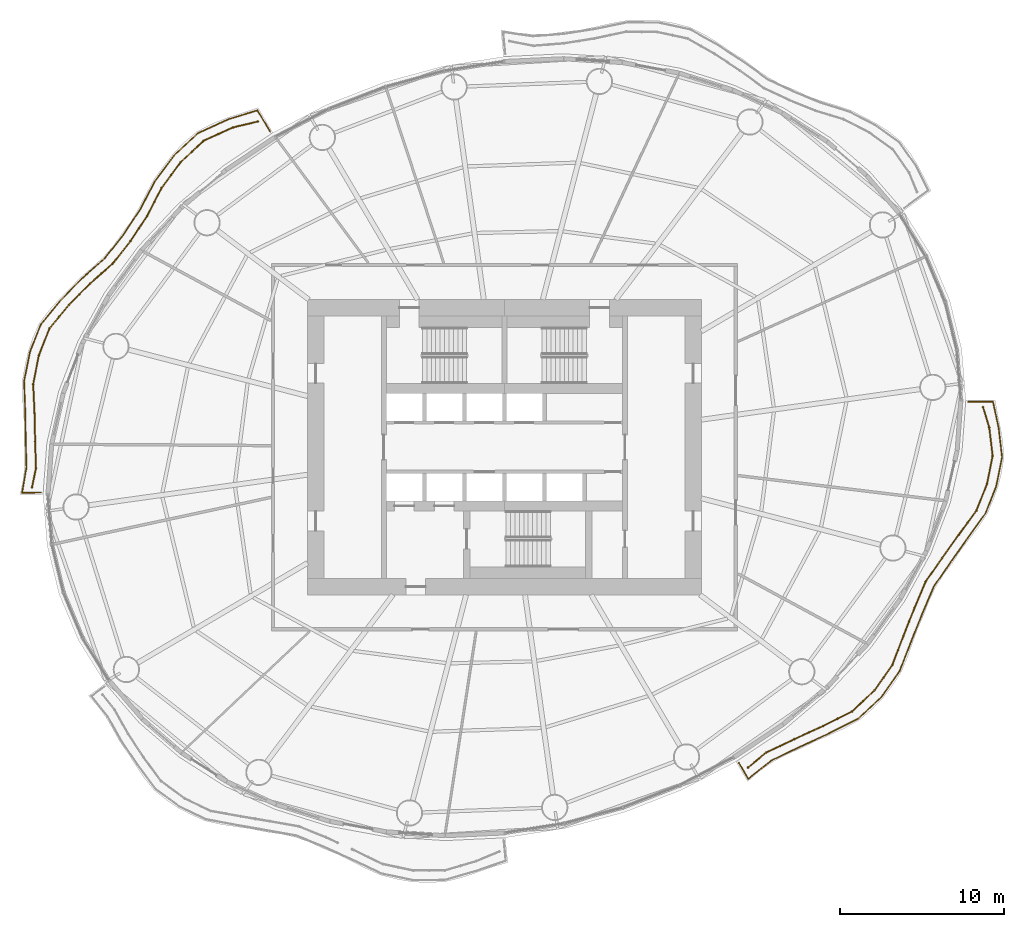
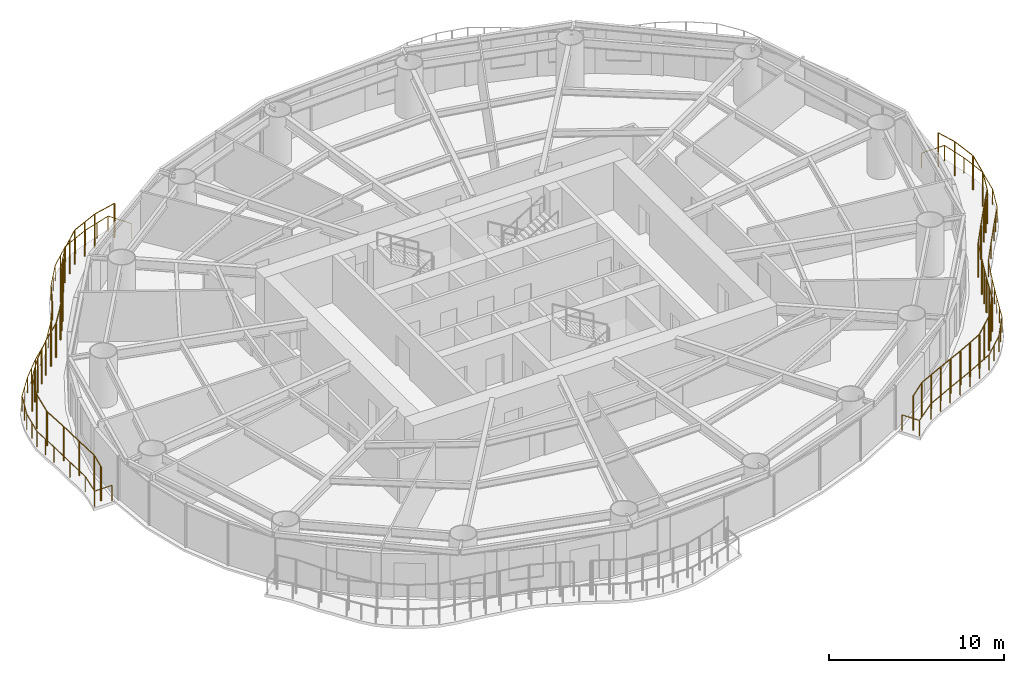
# One storey, part 13 of 14: 4 railings.
"""IFC4 building model written with IfcOpenShell, lengths in metres."""

import ifcopenshell
import ifcopenshell.guid

model = None  # the IFC model being written
_history = None  # IfcOwnerHistory: only IFC2X3 demands one
_inside = {}  # id of a spatial element -> (the spatial element, [elements in it])
_under = {}  # id of a project, library or spatial element -> (it, [spatial elements below it])
_declared = {}  # id of a project -> (the project, [libraries it declares])
_typed = {}  # id of a type object -> (the type object, [elements of that type])
_made_of = {}  # id of a material, layer set ... -> (it, [elements and type objects made of it])


def new_model(schema):
    """Start an empty IFC model of exactly this schema.

    Asked for "IFC4X3", IfcOpenShell would pick the latest addendum, in which some entities
    have other attributes; the version numbers below select the first issue.
    IFC2X3 requires an IfcOwnerHistory on every rooted entity: one is made here for all.
    """
    global model, _history
    if schema == "IFC4X3":
        model = ifcopenshell.file(schema_version=(4, 3, 0, 0))
    else:
        model = ifcopenshell.file(schema=schema)
    _inside.clear()
    _under.clear()
    _declared.clear()
    _typed.clear()
    _made_of.clear()
    _history = None
    if model.schema == "IFC2X3":
        org = make("IfcOrganization", Name="unknown")
        user = make(
            "IfcPersonAndOrganization",
            ThePerson=make("IfcPerson", FamilyName="unknown"),
            TheOrganization=org,
        )
        app = make(
            "IfcApplication",
            ApplicationDeveloper=org,
            Version="unknown",
            ApplicationFullName="unknown",
            ApplicationIdentifier="unknown",
        )
        _history = make(
            "IfcOwnerHistory",
            OwningUser=user,
            OwningApplication=app,
            ChangeAction="ADDED",
            CreationDate=0,
        )
    return model


def make(cls, **values):
    """One entity of the class cls with the attributes given. An attribute that is None is left unset."""
    return model.create_entity(
        cls, **{name: value for name, value in values.items() if value is not None}
    )


def rooted(cls, **values):
    """An entity with a GlobalId (a new one), such as an element, a storey or a relation."""
    return make(cls, GlobalId=ifcopenshell.guid.new(), OwnerHistory=_history, **values)


def si_unit(unit_type, name, prefix=None):
    """IfcSIUnit, for example si_unit("LENGTHUNIT", "METRE", prefix="MILLI")."""
    return make("IfcSIUnit", UnitType=unit_type, Prefix=prefix, Name=name)


def assignment(units):
    """IfcUnitAssignment: the units of a project."""
    return None if units is None else make("IfcUnitAssignment", Units=units)


def point(xyz):
    """IfcCartesianPoint."""
    return None if xyz is None else make("IfcCartesianPoint", Coordinates=xyz)


def direction(xyz):
    """IfcDirection."""
    return None if xyz is None else make("IfcDirection", DirectionRatios=xyz)


def frame(location, z_axis=None, x_axis=None):
    """IfcAxis2Placement3D, a coordinate frame: its origin and axes. An axis left out is left unset."""
    return make(
        "IfcAxis2Placement3D",
        Location=point(location),
        Axis=direction(z_axis),
        RefDirection=direction(x_axis),
    )


def frame_2d(location, x_axis=None):
    """IfcAxis2Placement2D, a coordinate frame in the plane: its origin and x axis."""
    return make(
        "IfcAxis2Placement2D", Location=point(location), RefDirection=direction(x_axis)
    )


def origin():
    """The frame at (0, 0, 0) with its axes left unset."""
    return frame((0.0, 0.0, 0.0))


def origin_2d():
    """The frame at (0, 0) in the plane with its x axis left unset."""
    return frame_2d((0.0, 0.0))


def place(relative_to, where):
    """IfcLocalPlacement: puts the frame where relative to a parent placement (None: the world)."""
    return make(
        "IfcLocalPlacement", PlacementRelTo=relative_to, RelativePlacement=where
    )


def context(
    kind, dimensions, precision=None, world=None, true_north=None, identifier=None
):
    """IfcGeometricRepresentationContext, for example the 3D "Model" context."""
    return make(
        "IfcGeometricRepresentationContext",
        ContextIdentifier=identifier,
        ContextType=kind,
        CoordinateSpaceDimension=dimensions,
        Precision=precision,
        WorldCoordinateSystem=world,
        TrueNorth=true_north,
    )


def subcontext(parent, identifier, kind, view, scale=None):
    """IfcGeometricRepresentationSubContext, for example "Body" below "Model"."""
    return make(
        "IfcGeometricRepresentationSubContext",
        ContextIdentifier=identifier,
        ContextType=kind,
        ParentContext=parent,
        TargetScale=scale,
        TargetView=view,
    )


def project(units=None, contexts=None):
    """IfcProject with its units and contexts."""
    return rooted(
        "IfcProject",
        Name="project",
        RepresentationContexts=contexts,
        UnitsInContext=assignment(units),
    )


def spatial(cls, under=None, at=None, **own):
    """A site, building, storey or space (cls), placed at a placement, below another one or the project."""
    s = rooted(cls, ObjectPlacement=at, **own)
    if under is not None:
        _under.setdefault(under.id(), (under, []))[1].append(s)
    return s


def profile(cls, at=None, kind="AREA", **sizes):
    """A parametric profile (cls). Its sizes go by their IFC names, for example OverallWidth=200.0."""
    return make(cls, ProfileType=kind, Position=at, **sizes)


def circle(**sizes):
    """IfcCircleProfileDef."""
    return profile("IfcCircleProfileDef", **sizes)


def extrude(swept, where, along, depth):
    """IfcExtrudedAreaSolid: the profile swept, set in the frame where, extruded along a direction by depth."""
    return make(
        "IfcExtrudedAreaSolid",
        SweptArea=swept,
        Position=where,
        ExtrudedDirection=direction(along),
        Depth=depth,
    )


def shape(context_of_items, identifier, shape_type, items):
    """IfcShapeRepresentation: the items that make up one representation, for example the "Body"."""
    return make(
        "IfcShapeRepresentation",
        ContextOfItems=context_of_items,
        RepresentationIdentifier=identifier,
        RepresentationType=shape_type,
        Items=items,
    )


def material(Name=None, Category=None):
    """IfcMaterial."""
    return make("IfcMaterial", Name=Name, Category=Category)


def made_of(thing, what):
    """Note that an element or type object is made of a material, layer set ...; save() writes the relation."""
    if what is not None:
        _made_of.setdefault(what.id(), (what, []))[1].append(thing)
    return thing


def type_object(cls, material=None, **own):
    """A type object (cls), such as IfcWallType, which elements share."""
    return made_of(rooted(cls, **own), material)


def element(
    cls,
    number,
    at=None,
    inside=None,
    cuts=None,
    type_object=None,
    material=None,
    context=None,
    identifier="Body",
    shape_type=None,
    held_by="IfcProductDefinitionShape",
    body=None,
    shapes=None,
    **own,
):
    """One element of the class cls, such as IfcWall. Its Tag is "e" and its number.

    at: its placement. inside: the storey or other place that contains it. cuts: it is an
    opening in that element (IfcRelVoidsElement). A single representation is given by context,
    identifier, shape_type and body (its items); several are given by shapes. held_by: the class
    of the entity that holds the representations. save() writes the other relations.
    """
    e = rooted(cls, Tag="e%d" % number, ObjectPlacement=at, **own)
    if body is not None:
        shapes = [shape(context, identifier, shape_type, body)]
    if shapes is not None:
        e.Representation = make(held_by, Representations=shapes)
    if inside is not None:
        _inside.setdefault(inside.id(), (inside, []))[1].append(e)
    if cuts is not None:
        rooted(
            "IfcRelVoidsElement", RelatingBuildingElement=cuts, RelatedOpeningElement=e
        )
    if type_object is not None:
        _typed.setdefault(type_object.id(), (type_object, []))[1].append(e)
    return made_of(e, material)


def aggregate(whole, parts):
    """IfcRelAggregates: a whole, such as a stair, and the parts it consists of."""
    return rooted("IfcRelAggregates", RelatingObject=whole, RelatedObjects=parts)


def save(model, path):
    """Write the relations noted so far, then the file.

    IfcRelAggregates (storeys below a building ...), IfcRelContainedInSpatialStructure (elements
    in a storey), IfcRelDefinesByType, IfcRelAssociatesMaterial and IfcRelDeclares: one each for
    every whole, place, type object, material and project.
    """
    for whole, parts in _under.values():
        aggregate(whole, parts)
    for where, things in _inside.values():
        rooted(
            "IfcRelContainedInSpatialStructure",
            RelatedElements=things,
            RelatingStructure=where,
        )
    for kind, things in _typed.values():
        rooted("IfcRelDefinesByType", RelatedObjects=things, RelatingType=kind)
    for what, things in _made_of.values():
        rooted("IfcRelAssociatesMaterial", RelatedObjects=things, RelatingMaterial=what)
    for by, libraries in _declared.values():
        rooted("IfcRelDeclares", RelatingContext=by, RelatedDefinitions=libraries)
    model.write(path)


model = new_model("IFC4")

# Units and contexts
model_context = context("Model", 3, precision=1e-05, world=origin(), true_north=direction((0.0, 1.0)))
body_context = subcontext(model_context, "Body", "Model", "MODEL_VIEW")
ifc_project = project(units=[si_unit("LENGTHUNIT", "METRE"), si_unit("AREAUNIT", "SQUARE_METRE"), si_unit("VOLUMEUNIT", "CUBIC_METRE"), si_unit("PLANEANGLEUNIT", "RADIAN"), si_unit("MASSUNIT", "GRAM", prefix="KILO")], contexts=[model_context])

# Site, building, storey
site_placement = place(None, origin())
site = spatial("IfcSite", under=ifc_project, at=site_placement, CompositionType="ELEMENT")
building_placement = place(site_placement, origin())
building = spatial("IfcBuilding", under=site, at=building_placement, Name="Vermilion Reach Broadcast Tower", CompositionType="ELEMENT")
storey_placement = place(building_placement, frame((0.0, 0.0, 106.60009765625)))
storey = spatial("IfcBuildingStorey", under=building, at=storey_placement, Name="L24", CompositionType="ELEMENT", Elevation=106.60009765625)

# Railings
ifc_material_1 = material(Name="Terracotta baguette", Category="masonry")
railing_type_1 = type_object("IfcRailingType", Name="BAGUETTE SCREEN", PredefinedType="USERDEFINED", material=ifc_material_1)
railing_1_placement = place(storey_placement, frame((-21.031494140625, 19.849609375, 0.0)))
element("IfcRailing", 1, at=railing_1_placement, inside=storey, type_object=railing_type_1, Name="Baguette screen L24 group 2", ObjectType="BAGUETTE SCREEN", PredefinedType="USERDEFINED", context=body_context, shape_type="SweptSolid", body=[
    extrude(circle(Radius=0.030029296875, at=origin_2d()), frame((0.0, 0.0, 2.369873046875), z_axis=(-0.973063488016, -0.230537303466, 0.0), x_axis=(0.230537303466, -0.973063488016, 0.0)), (0.0, 0.0, 1.0), 1.5439453125),
    extrude(circle(Radius=0.030029296875, at=origin_2d()), frame((-1.50244140625, -0.35595703125, 2.369873046875), z_axis=(-0.910370715158, -0.413793621244, 0.0), x_axis=(0.413793621244, -0.910370715158, 0.0)), (0.0, 0.0, 1.0), 1.972900390625),
    extrude(circle(Radius=0.030029296875, at=origin_2d()), frame((-3.298583984375, -1.17236328125, 2.369873046875), z_axis=(-0.731038353728, -0.682336372604, 0.0), x_axis=(0.682336372604, -0.731038353728, 0.0)), (0.0, 0.0, 1.0), 1.919921875),
    extrude(circle(Radius=0.030029296875, at=origin_2d()), frame((-4.7021484375, -2.482421875, 2.369873046875), z_axis=(-0.597057830252, -0.80219819704, 0.0), x_axis=(0.80219819704, -0.597057830252, 0.0)), (0.0, 0.0, 1.0), 1.941162109375),
    extrude(circle(Radius=0.030029296875, at=origin_2d()), frame((-5.861083984375, -4.03955078125, 2.369873046875), z_axis=(-0.459440158568, -0.888208725861, 0.0), x_axis=(0.888208725861, -0.459440158568, 0.0)), (0.0, 0.0, 1.0), 1.92626953125),
    extrude(circle(Radius=0.030029296875, at=origin_2d()), frame((-6.74609375, -5.75048828125, 2.369873046875), z_axis=(-0.550266940487, -0.834988798851, 0.0), x_axis=(0.834988798851, -0.550266940487, 0.0)), (0.0, 0.0, 1.0), 1.833251953125),
    extrude(circle(Radius=0.030029296875, at=origin_2d()), frame((-7.7548828125, -7.28125, 2.369873046875), z_axis=(-0.620118949564, -0.784507800083, 0.0), x_axis=(0.784507800083, -0.620118949564, 0.0)), (0.0, 0.0, 1.0), 1.767333984375),
    extrude(circle(Radius=0.030029296875, at=origin_2d()), frame((-8.850830078125, -8.667724609375, 2.369873046875), z_axis=(-0.751393765988, -0.659854081168, 0.0), x_axis=(0.659854081168, -0.751393765988, 0.0)), (0.0, 0.0, 1.0), 1.843017578125),
    extrude(circle(Radius=0.030029296875, at=origin_2d()), frame((-10.235595703125, -9.8837890625, 2.369873046875), z_axis=(-0.702677006057, -0.711508977567, 0.0), x_axis=(0.711508977567, -0.702677006057, 0.0)), (0.0, 0.0, 1.0), 1.824462890625),
    extrude(circle(Radius=0.030029296875, at=origin_2d()), frame((-11.517578125, -11.181884765625, 2.369873046875), z_axis=(-0.638013391927, -0.770025266937, 0.0), x_axis=(0.770025266937, -0.638013391927, 0.0)), (0.0, 0.0, 1.0), 1.849365234375),
    extrude(circle(Radius=0.030029296875, at=origin_2d()), frame((-12.697509765625, -12.60595703125, 2.369873046875), z_axis=(-0.36684972767, -0.930280214402, 0.0), x_axis=(0.930280214402, -0.36684972767, 0.0)), (0.0, 0.0, 1.0), 1.772216796875),
    extrude(circle(Radius=0.030029296875, at=origin_2d()), frame((-13.34765625, -14.254638671875, 2.369873046875), z_axis=(-0.192037380742, -0.9813876117, 0.0), x_axis=(0.9813876117, -0.192037380742, 0.0)), (0.0, 0.0, 1.0), 1.784912109375),
    extrude(circle(Radius=0.030029296875, at=origin_2d()), frame((-13.6904296875, -16.00634765625, 2.369873046875), z_axis=(0.045476007563, -0.998965431202, 0.0), x_axis=(0.998965431202, 0.045476007563, 0.0)), (0.0, 0.0, 1.0), 1.782470703125),
    extrude(circle(Radius=0.030029296875, at=origin_2d()), frame((-13.609375, -17.786865234375, 2.369873046875), z_axis=(0.022289730211, -0.999751553101, 0.0), x_axis=(0.999751553101, 0.022289730211, 0.0)), (0.0, 0.0, 1.0), 1.708740234375),
    extrude(circle(Radius=0.030029296875, at=origin_2d()), frame((-13.5712890625, -19.4951171875, 2.369873046875), z_axis=(0.029306778006, -0.999570464131, 0.0), x_axis=(0.999570464131, 0.029306778006, 0.0)), (0.0, 0.0, 1.0), 1.6328125),
    extrude(circle(Radius=0.030029296875, at=origin_2d()), frame((-13.5234375, -21.127197265625, 2.369873046875), z_axis=(-0.200791966065, -0.979633904254, 0.0), x_axis=(0.979633904254, -0.200791966065, 0.0)), (0.0, 0.0, 1.0), 1.184326171875),
    extrude(circle(Radius=0.050048828125, at=origin_2d()), origin(), (0.0, 0.0, 1.0), 2.33984375),
    extrude(circle(Radius=0.050048828125, at=origin_2d()), frame((-1.50244140625, -0.35595703125, 0.0)), (0.0, 0.0, 1.0), 2.33984375),
    extrude(circle(Radius=0.050048828125, at=origin_2d()), frame((-2.400390625, -0.76416015625, 0.0)), (0.0, 0.0, 1.0), 2.33984375),
    extrude(circle(Radius=0.050048828125, at=origin_2d()), frame((-3.298583984375, -1.17236328125, 0.0)), (0.0, 0.0, 1.0), 2.33984375),
    extrude(circle(Radius=0.050048828125, at=origin_2d()), frame((-4.00048828125, -1.827392578125, 0.0)), (0.0, 0.0, 1.0), 2.33984375),
    extrude(circle(Radius=0.050048828125, at=origin_2d()), frame((-4.7021484375, -2.482421875, 0.0)), (0.0, 0.0, 1.0), 2.33984375),
    extrude(circle(Radius=0.050048828125, at=origin_2d()), frame((-5.28173828125, -3.260986328125, 0.0)), (0.0, 0.0, 1.0), 2.33984375),
    extrude(circle(Radius=0.050048828125, at=origin_2d()), frame((-5.861083984375, -4.03955078125, 0.0)), (0.0, 0.0, 1.0), 2.33984375),
    extrude(circle(Radius=0.050048828125, at=origin_2d()), frame((-6.3037109375, -4.89501953125, 0.0)), (0.0, 0.0, 1.0), 2.33984375),
    extrude(circle(Radius=0.050048828125, at=origin_2d()), frame((-6.74609375, -5.75048828125, 0.0)), (0.0, 0.0, 1.0), 2.33984375),
    extrude(circle(Radius=0.050048828125, at=origin_2d()), frame((-7.25048828125, -6.515869140625, 0.0)), (0.0, 0.0, 1.0), 2.33984375),
    extrude(circle(Radius=0.050048828125, at=origin_2d()), frame((-7.7548828125, -7.28125, 0.0)), (0.0, 0.0, 1.0), 2.33984375),
    extrude(circle(Radius=0.050048828125, at=origin_2d()), frame((-8.850830078125, -8.667724609375, 0.0)), (0.0, 0.0, 1.0), 2.33984375),
    extrude(circle(Radius=0.050048828125, at=origin_2d()), frame((-9.543212890625, -9.27587890625, 0.0)), (0.0, 0.0, 1.0), 2.33984375),
    extrude(circle(Radius=0.050048828125, at=origin_2d()), frame((-10.235595703125, -9.8837890625, 0.0)), (0.0, 0.0, 1.0), 2.33984375),
    extrude(circle(Radius=0.050048828125, at=origin_2d()), frame((-10.87646484375, -10.53271484375, 0.0)), (0.0, 0.0, 1.0), 2.33984375),
    extrude(circle(Radius=0.050048828125, at=origin_2d()), frame((-11.517578125, -11.181884765625, 0.0)), (0.0, 0.0, 1.0), 2.33984375),
    extrude(circle(Radius=0.050048828125, at=origin_2d()), frame((-12.107421875, -11.89404296875, 0.0)), (0.0, 0.0, 1.0), 2.33984375),
    extrude(circle(Radius=0.050048828125, at=origin_2d()), frame((-12.697509765625, -12.60595703125, 0.0)), (0.0, 0.0, 1.0), 2.33984375),
    extrude(circle(Radius=0.050048828125, at=origin_2d()), frame((-13.34765625, -14.254638671875, 0.0)), (0.0, 0.0, 1.0), 2.33984375),
    extrude(circle(Radius=0.050048828125, at=origin_2d()), frame((-13.6904296875, -16.00634765625, 0.0)), (0.0, 0.0, 1.0), 2.33984375),
    extrude(circle(Radius=0.050048828125, at=origin_2d()), frame((-13.609375, -17.786865234375, 0.0)), (0.0, 0.0, 1.0), 2.33984375),
    extrude(circle(Radius=0.050048828125, at=origin_2d()), frame((-13.5712890625, -19.4951171875, 0.0)), (0.0, 0.0, 1.0), 2.33984375),
    extrude(circle(Radius=0.050048828125, at=origin_2d()), frame((-13.5234375, -21.127197265625, 0.0)), (0.0, 0.0, 1.0), 2.33984375),
    extrude(circle(Radius=0.050048828125, at=origin_2d()), frame((-13.76123046875, -22.287353515625, 0.0)), (0.0, 0.0, 1.0), 2.33984375),
])
railing_2_placement = place(storey_placement, frame((8.842529296875, -19.530517578125, 0.0)))
element("IfcRailing", 2, at=railing_2_placement, inside=storey, type_object=railing_type_1, Name="Baguette screen L24 group 4", ObjectType="BAGUETTE SCREEN", PredefinedType="USERDEFINED", context=body_context, shape_type="SweptSolid", body=[
    extrude(circle(Radius=0.030029296875, at=origin_2d()), frame((0.0, 0.0, 2.369873046875), z_axis=(0.769378308319, 0.638793408456, 0.0), x_axis=(-0.638793408456, 0.769378308319, 0.0)), (0.0, 0.0, 1.0), 1.43408203125),
    extrude(circle(Radius=0.030029296875, at=origin_2d()), frame((1.103271484375, 0.916015625, 2.369873046875), z_axis=(0.903194286529, 0.429231966168, 0.0), x_axis=(-0.429231966168, 0.903194286529, 0.0)), (0.0, 0.0, 1.0), 1.90478515625),
    extrude(circle(Radius=0.030029296875, at=origin_2d()), frame((2.82373046875, 1.733642578125, 2.369873046875), z_axis=(0.909488159864, 0.415729824606, 0.0), x_axis=(-0.415729824606, 0.909488159864, 0.0)), (0.0, 0.0, 1.0), 1.927490234375),
    extrude(circle(Radius=0.030029296875, at=origin_2d()), frame((4.57666015625, 2.534912109375, 2.369873046875), z_axis=(0.893508128647, 0.449047017629, 0.0), x_axis=(-0.449047017629, 0.893508128647, 0.0)), (0.0, 0.0, 1.0), 1.9697265625),
    extrude(circle(Radius=0.030029296875, at=origin_2d()), frame((6.336669921875, 3.41943359375, 2.369873046875), z_axis=(0.730563501103, 0.682844763366, 0.0), x_axis=(-0.682844763366, 0.730563501103, 0.0)), (0.0, 0.0, 1.0), 1.8828125),
    extrude(circle(Radius=0.030029296875, at=origin_2d()), frame((7.712158203125, 4.705078125, 2.369873046875), z_axis=(0.574093809748, 0.818789531936, 0.0), x_axis=(-0.818789531936, 0.574093809748, 0.0)), (0.0, 0.0, 1.0), 1.893798828125),
    extrude(circle(Radius=0.030029296875, at=origin_2d()), frame((8.79931640625, 6.255615234375, 2.369873046875), z_axis=(0.356299865669, 0.934371663592, 0.0), x_axis=(-0.934371663592, 0.356299865669, 0.0)), (0.0, 0.0, 1.0), 1.900146484375),
    extrude(circle(Radius=0.030029296875, at=origin_2d()), frame((9.476318359375, 8.031005859375, 2.369873046875), z_axis=(0.368613828936, 0.929582618769, 0.0), x_axis=(-0.929582618769, 0.368613828936, 0.0)), (0.0, 0.0, 1.0), 1.835205078125),
    extrude(circle(Radius=0.030029296875, at=origin_2d()), frame((10.15283203125, 9.737060546875, 2.369873046875), z_axis=(0.390517460652, 0.920595520805, 0.0), x_axis=(-0.920595520805, 0.390517460652, 0.0)), (0.0, 0.0, 1.0), 1.742431640625),
    extrude(circle(Radius=0.030029296875, at=origin_2d()), frame((10.833251953125, 11.341064453125, 2.369873046875), z_axis=(0.573602937968, 0.819133487018, 0.0), x_axis=(-0.819133487018, 0.573602937968, 0.0)), (0.0, 0.0, 1.0), 1.748046875),
    extrude(circle(Radius=0.030029296875, at=origin_2d()), frame((11.8359375, 12.77294921875, 2.369873046875), z_axis=(0.58063098503, 0.814166849744, 0.0), x_axis=(-0.814166849744, 0.58063098503, 0.0)), (0.0, 0.0, 1.0), 1.75),
    extrude(circle(Radius=0.030029296875, at=origin_2d()), frame((12.85205078125, 14.19775390625, 2.369873046875), z_axis=(0.589006567159, 0.808128247151, 0.0), x_axis=(-0.808128247151, 0.589006567159, 0.0)), (0.0, 0.0, 1.0), 1.824951171875),
    extrude(circle(Radius=0.030029296875, at=origin_2d()), frame((13.927001953125, 15.672607421875, 2.369873046875), z_axis=(0.369917089887, 0.929064769868, 0.0), x_axis=(-0.929064769868, 0.369917089887, 0.0)), (0.0, 0.0, 1.0), 1.742919921875),
    extrude(circle(Radius=0.030029296875, at=origin_2d()), frame((14.57177734375, 17.2919921875, 2.369873046875), z_axis=(0.196304482222, 0.980542987461, 0.0), x_axis=(-0.980542987461, 0.196304482222, 0.0)), (0.0, 0.0, 1.0), 1.744873046875),
    extrude(circle(Radius=0.030029296875, at=origin_2d()), frame((14.914306640625, 19.0029296875, 2.369873046875), z_axis=(-0.119294290761, 0.992858938718, 0.0), x_axis=(-0.992858938718, -0.119294290761, 0.0)), (0.0, 0.0, 1.0), 1.74365234375),
    extrude(circle(Radius=0.030029296875, at=origin_2d()), frame((14.706298828125, 20.734130859375, 2.369873046875), z_axis=(-0.290642373539, 0.956831756739, 0.0), x_axis=(-0.956831756739, -0.290642373539, 0.0)), (0.0, 0.0, 1.0), 1.291015625),
    extrude(circle(Radius=0.050048828125, at=origin_2d()), origin(), (0.0, 0.0, 1.0), 2.33984375),
    extrude(circle(Radius=0.050048828125, at=origin_2d()), frame((1.103271484375, 0.916015625, 0.0)), (0.0, 0.0, 1.0), 2.33984375),
    extrude(circle(Radius=0.050048828125, at=origin_2d()), frame((1.96337890625, 1.32470703125, 0.0)), (0.0, 0.0, 1.0), 2.33984375),
    extrude(circle(Radius=0.050048828125, at=origin_2d()), frame((2.82373046875, 1.733642578125, 0.0)), (0.0, 0.0, 1.0), 2.33984375),
    extrude(circle(Radius=0.050048828125, at=origin_2d()), frame((3.7001953125, 2.13427734375, 0.0)), (0.0, 0.0, 1.0), 2.33984375),
    extrude(circle(Radius=0.050048828125, at=origin_2d()), frame((4.57666015625, 2.534912109375, 0.0)), (0.0, 0.0, 1.0), 2.33984375),
    extrude(circle(Radius=0.050048828125, at=origin_2d()), frame((5.45654296875, 2.97705078125, 0.0)), (0.0, 0.0, 1.0), 2.33984375),
    extrude(circle(Radius=0.050048828125, at=origin_2d()), frame((6.336669921875, 3.41943359375, 0.0)), (0.0, 0.0, 1.0), 2.33984375),
    extrude(circle(Radius=0.050048828125, at=origin_2d()), frame((7.0244140625, 4.062255859375, 0.0)), (0.0, 0.0, 1.0), 2.33984375),
    extrude(circle(Radius=0.050048828125, at=origin_2d()), frame((7.712158203125, 4.705078125, 0.0)), (0.0, 0.0, 1.0), 2.33984375),
    extrude(circle(Radius=0.050048828125, at=origin_2d()), frame((8.255859375, 5.48046875, 0.0)), (0.0, 0.0, 1.0), 2.33984375),
    extrude(circle(Radius=0.050048828125, at=origin_2d()), frame((8.79931640625, 6.255615234375, 0.0)), (0.0, 0.0, 1.0), 2.33984375),
    extrude(circle(Radius=0.050048828125, at=origin_2d()), frame((9.1376953125, 7.143310546875, 0.0)), (0.0, 0.0, 1.0), 2.33984375),
    extrude(circle(Radius=0.050048828125, at=origin_2d()), frame((9.476318359375, 8.031005859375, 0.0)), (0.0, 0.0, 1.0), 2.33984375),
    extrude(circle(Radius=0.050048828125, at=origin_2d()), frame((9.814453125, 8.884033203125, 0.0)), (0.0, 0.0, 1.0), 2.33984375),
    extrude(circle(Radius=0.050048828125, at=origin_2d()), frame((10.15283203125, 9.737060546875, 0.0)), (0.0, 0.0, 1.0), 2.33984375),
    extrude(circle(Radius=0.050048828125, at=origin_2d()), frame((10.833251953125, 11.341064453125, 0.0)), (0.0, 0.0, 1.0), 2.33984375),
    extrude(circle(Radius=0.050048828125, at=origin_2d()), frame((11.8359375, 12.77294921875, 0.0)), (0.0, 0.0, 1.0), 2.33984375),
    extrude(circle(Radius=0.050048828125, at=origin_2d()), frame((12.85205078125, 14.19775390625, 0.0)), (0.0, 0.0, 1.0), 2.33984375),
    extrude(circle(Radius=0.050048828125, at=origin_2d()), frame((13.3896484375, 14.93505859375, 0.0)), (0.0, 0.0, 1.0), 2.33984375),
    extrude(circle(Radius=0.050048828125, at=origin_2d()), frame((13.927001953125, 15.672607421875, 0.0)), (0.0, 0.0, 1.0), 2.33984375),
    extrude(circle(Radius=0.050048828125, at=origin_2d()), frame((14.57177734375, 17.2919921875, 0.0)), (0.0, 0.0, 1.0), 2.33984375),
    extrude(circle(Radius=0.050048828125, at=origin_2d()), frame((14.914306640625, 19.0029296875, 0.0)), (0.0, 0.0, 1.0), 2.33984375),
    extrude(circle(Radius=0.050048828125, at=origin_2d()), frame((14.706298828125, 20.734130859375, 0.0)), (0.0, 0.0, 1.0), 2.33984375),
    extrude(circle(Radius=0.050048828125, at=origin_2d()), frame((14.3310546875, 21.969482421875, 0.0)), (0.0, 0.0, 1.0), 2.33984375),
])
ifc_material_2 = material(Name="Stainless steel 316 balustrade", Category="steel")
railing_type_2 = type_object("IfcRailingType", Name="Balcony guard 1100", PredefinedType="BALUSTRADE", material=ifc_material_2)
railing_3_placement = place(storey_placement, frame((-20.285400390625, 19.23681640625, 0.0)))
element("IfcRailing", 3, at=railing_3_placement, inside=storey, type_object=railing_type_2, Name="Balcony guard L24 group 2", PredefinedType="BALUSTRADE", context=body_context, shape_type="SweptSolid", body=[
    extrude(circle(Radius=0.02490234375, at=origin_2d()), frame((0.0, 0.0, 1.0751953125), z_axis=(-0.509766834385, 0.860312602814, 0.0), x_axis=(-0.860312602814, -0.509766834385, 0.0)), (0.0, 0.0, 1.0), 1.505859375),
    extrude(circle(Radius=0.02490234375, at=origin_2d()), frame((-0.767578125, 1.29541015625, 1.0751953125), z_axis=(-0.955557783764, -0.294803870204, 0.0), x_axis=(0.294803870204, -0.955557783764, 0.0)), (0.0, 0.0, 1.0), 1.887451171875),
    extrude(circle(Radius=0.02490234375, at=origin_2d()), frame((-2.571044921875, 0.739013671875, 1.0751953125), z_axis=(-0.909060979638, -0.416663095677, 0.0), x_axis=(0.416663095677, -0.909060979638, 0.0)), (0.0, 0.0, 1.0), 2.005126953125),
    extrude(circle(Radius=0.02490234375, at=origin_2d()), frame((-4.393798828125, -0.096435546875, 1.0751953125), z_axis=(-0.731911175438, -0.681400052296, 0.0), x_axis=(0.681400052296, -0.731911175438, 0.0)), (0.0, 0.0, 1.0), 1.95263671875),
    extrude(circle(Radius=0.02490234375, at=origin_2d()), frame((-5.822998046875, -1.427001953125, 1.0751953125), z_axis=(-0.599742759723, -0.800192865602, 0.0), x_axis=(0.800192865602, -0.599742759723, 0.0)), (0.0, 0.0, 1.0), 1.974365234375),
    extrude(circle(Radius=0.02490234375, at=origin_2d()), frame((-7.007080078125, -3.0068359375, 1.0751953125), z_axis=(-0.464086176828, -0.885790054402, 0.0), x_axis=(0.885790054402, -0.464086176828, 0.0)), (0.0, 0.0, 1.0), 1.95849609375),
    extrude(circle(Radius=0.02490234375, at=origin_2d()), frame((-7.916015625, -4.74169921875, 1.0751953125), z_axis=(-0.552375988248, -0.833595086122, 0.0), x_axis=(0.833595086122, -0.552375988248, 0.0)), (0.0, 0.0, 1.0), 1.8681640625),
    extrude(circle(Radius=0.02490234375, at=origin_2d()), frame((-8.947998046875, -6.299072265625, 1.0751953125), z_axis=(-0.61996037626, -0.784633119278, 0.0), x_axis=(0.784633119278, -0.61996037626, 0.0)), (0.0, 0.0, 1.0), 1.802734375),
    extrude(circle(Radius=0.02490234375, at=origin_2d()), frame((-10.065673828125, -7.713623046875, 1.0751953125), z_axis=(-0.748132894662, -0.663548922028, 0.0), x_axis=(0.663548922028, -0.748132894662, 0.0)), (0.0, 0.0, 1.0), 1.87890625),
    extrude(circle(Radius=0.02490234375, at=origin_2d()), frame((-11.471435546875, -8.96044921875, 1.0751953125), z_axis=(-0.699256256455, -0.714871098736, 0.0), x_axis=(0.714871098736, -0.699256256455, 0.0)), (0.0, 0.0, 1.0), 1.860595703125),
    extrude(circle(Radius=0.02490234375, at=origin_2d()), frame((-12.7724609375, -10.29052734375, 1.0751953125), z_axis=(-0.634378049172, -0.773022956146, 0.0), x_axis=(0.773022956146, -0.634378049172, 0.0)), (0.0, 0.0, 1.0), 1.8876953125),
    extrude(circle(Radius=0.02490234375, at=origin_2d()), frame((-13.969970703125, -11.749755859375, 1.0751953125), z_axis=(-0.367436583122, -0.93004857797, 0.0), x_axis=(0.93004857797, -0.367436583122, 0.0)), (0.0, 0.0, 1.0), 1.811279296875),
    extrude(circle(Radius=0.02490234375, at=origin_2d()), frame((-14.635498046875, -13.434326171875, 1.0751953125), z_axis=(-0.195087464668, -0.980785848761, 0.0), x_axis=(0.980785848761, -0.195087464668, 0.0)), (0.0, 0.0, 1.0), 1.825927734375),
    extrude(circle(Radius=0.02490234375, at=origin_2d()), frame((-14.99169921875, -15.22509765625, 1.0751953125), z_axis=(0.038731645435, -0.999249648307, 0.0), x_axis=(0.999249648307, 0.038731645435, 0.0)), (0.0, 0.0, 1.0), 1.82177734375),
    extrude(circle(Radius=0.02490234375, at=origin_2d()), frame((-14.921142578125, -17.04541015625, 1.0751953125), z_axis=(0.017286875457, -0.999850570804, 0.0), x_axis=(0.999850570804, 0.017286875457, 0.0)), (0.0, 0.0, 1.0), 1.751220703125),
    extrude(circle(Radius=0.02490234375, at=origin_2d()), frame((-14.890869140625, -18.79638671875, 1.0751953125), z_axis=(0.025647537087, -0.999671047816, 0.0), x_axis=(0.999671047816, 0.025647537087, 0.0)), (0.0, 0.0, 1.0), 1.67529296875),
    extrude(circle(Radius=0.02490234375, at=origin_2d()), frame((-14.847900390625, -20.47119140625, 1.0751953125), z_axis=(-0.16953402388, -0.985524334934, 0.0), x_axis=(0.985524334934, -0.16953402388, 0.0)), (0.0, 0.0, 1.0), 1.556640625),
    extrude(circle(Radius=0.02490234375, at=origin_2d()), frame((-15.11181640625, -22.00537109375, 1.0751953125), z_axis=(0.99999545012, 0.003016577527, 0.0), x_axis=(-0.003016577527, 0.99999545012, 0.0)), (0.0, 0.0, 1.0), 1.133056640625),
    extrude(circle(Radius=0.02490234375, at=origin_2d()), origin(), (0.0, 0.0, 1.0), 1.050048828125),
    extrude(circle(Radius=0.02490234375, at=origin_2d()), frame((-0.767578125, 1.29541015625, 0.0)), (0.0, 0.0, 1.0), 1.050048828125),
    extrude(circle(Radius=0.02490234375, at=origin_2d()), frame((-1.66943359375, 1.01708984375, 0.0)), (0.0, 0.0, 1.0), 1.050048828125),
    extrude(circle(Radius=0.02490234375, at=origin_2d()), frame((-2.571044921875, 0.739013671875, 0.0)), (0.0, 0.0, 1.0), 1.050048828125),
    extrude(circle(Radius=0.02490234375, at=origin_2d()), frame((-3.482421875, 0.3212890625, 0.0)), (0.0, 0.0, 1.0), 1.050048828125),
    extrude(circle(Radius=0.02490234375, at=origin_2d()), frame((-4.393798828125, -0.096435546875, 0.0)), (0.0, 0.0, 1.0), 1.050048828125),
    extrude(circle(Radius=0.02490234375, at=origin_2d()), frame((-5.1083984375, -0.76171875, 0.0)), (0.0, 0.0, 1.0), 1.050048828125),
    extrude(circle(Radius=0.02490234375, at=origin_2d()), frame((-5.822998046875, -1.427001953125, 0.0)), (0.0, 0.0, 1.0), 1.050048828125),
    extrude(circle(Radius=0.02490234375, at=origin_2d()), frame((-6.4150390625, -2.216796875, 0.0)), (0.0, 0.0, 1.0), 1.050048828125),
    extrude(circle(Radius=0.02490234375, at=origin_2d()), frame((-7.007080078125, -3.0068359375, 0.0)), (0.0, 0.0, 1.0), 1.050048828125),
    extrude(circle(Radius=0.02490234375, at=origin_2d()), frame((-7.46142578125, -3.874267578125, 0.0)), (0.0, 0.0, 1.0), 1.050048828125),
    extrude(circle(Radius=0.02490234375, at=origin_2d()), frame((-7.916015625, -4.74169921875, 0.0)), (0.0, 0.0, 1.0), 1.050048828125),
    extrude(circle(Radius=0.02490234375, at=origin_2d()), frame((-8.43212890625, -5.5205078125, 0.0)), (0.0, 0.0, 1.0), 1.050048828125),
    extrude(circle(Radius=0.02490234375, at=origin_2d()), frame((-8.947998046875, -6.299072265625, 0.0)), (0.0, 0.0, 1.0), 1.050048828125),
    extrude(circle(Radius=0.02490234375, at=origin_2d()), frame((-9.5068359375, -7.00634765625, 0.0)), (0.0, 0.0, 1.0), 1.050048828125),
    extrude(circle(Radius=0.02490234375, at=origin_2d()), frame((-10.065673828125, -7.713623046875, 0.0)), (0.0, 0.0, 1.0), 1.050048828125),
    extrude(circle(Radius=0.02490234375, at=origin_2d()), frame((-10.7685546875, -8.3369140625, 0.0)), (0.0, 0.0, 1.0), 1.050048828125),
    extrude(circle(Radius=0.02490234375, at=origin_2d()), frame((-11.471435546875, -8.96044921875, 0.0)), (0.0, 0.0, 1.0), 1.050048828125),
    extrude(circle(Radius=0.02490234375, at=origin_2d()), frame((-12.1220703125, -9.62548828125, 0.0)), (0.0, 0.0, 1.0), 1.050048828125),
    extrude(circle(Radius=0.02490234375, at=origin_2d()), frame((-12.7724609375, -10.29052734375, 0.0)), (0.0, 0.0, 1.0), 1.050048828125),
    extrude(circle(Radius=0.02490234375, at=origin_2d()), frame((-13.37109375, -11.02001953125, 0.0)), (0.0, 0.0, 1.0), 1.050048828125),
    extrude(circle(Radius=0.02490234375, at=origin_2d()), frame((-13.969970703125, -11.749755859375, 0.0)), (0.0, 0.0, 1.0), 1.050048828125),
    extrude(circle(Radius=0.02490234375, at=origin_2d()), frame((-14.302734375, -12.592041015625, 0.0)), (0.0, 0.0, 1.0), 1.050048828125),
    extrude(circle(Radius=0.02490234375, at=origin_2d()), frame((-14.635498046875, -13.434326171875, 0.0)), (0.0, 0.0, 1.0), 1.050048828125),
    extrude(circle(Radius=0.02490234375, at=origin_2d()), frame((-14.8134765625, -14.32958984375, 0.0)), (0.0, 0.0, 1.0), 1.050048828125),
    extrude(circle(Radius=0.02490234375, at=origin_2d()), frame((-14.99169921875, -15.22509765625, 0.0)), (0.0, 0.0, 1.0), 1.050048828125),
    extrude(circle(Radius=0.02490234375, at=origin_2d()), frame((-14.95654296875, -16.13525390625, 0.0)), (0.0, 0.0, 1.0), 1.050048828125),
    extrude(circle(Radius=0.02490234375, at=origin_2d()), frame((-14.921142578125, -17.04541015625, 0.0)), (0.0, 0.0, 1.0), 1.050048828125),
    extrude(circle(Radius=0.02490234375, at=origin_2d()), frame((-14.890869140625, -18.79638671875, 0.0)), (0.0, 0.0, 1.0), 1.050048828125),
    extrude(circle(Radius=0.02490234375, at=origin_2d()), frame((-14.847900390625, -20.47119140625, 0.0)), (0.0, 0.0, 1.0), 1.050048828125),
    extrude(circle(Radius=0.02490234375, at=origin_2d()), frame((-15.11181640625, -22.00537109375, 0.0)), (0.0, 0.0, 1.0), 1.050048828125),
    extrude(circle(Radius=0.02490234375, at=origin_2d()), frame((-13.978759765625, -22.001953125, 0.0)), (0.0, 0.0, 1.0), 1.050048828125),
])
railing_4_placement = place(storey_placement, frame((8.285400390625, -19.23681640625, 0.0)))
element("IfcRailing", 4, at=railing_4_placement, inside=storey, type_object=railing_type_2, Name="Balcony guard L24 group 4", PredefinedType="BALUSTRADE", context=body_context, shape_type="SweptSolid", body=[
    extrude(circle(Radius=0.02490234375, at=origin_2d()), frame((0.0, 0.0, 1.0751953125), z_axis=(0.509678540122, -0.860364914289, 0.0), x_axis=(0.860364914289, 0.509678540122, 0.0)), (0.0, 0.0, 1.0), 1.134765625),
    extrude(circle(Radius=0.02490234375, at=origin_2d()), frame((0.578369140625, -0.976318359375, 1.0751953125), z_axis=(0.782750176319, 0.622336051883, 0.0), x_axis=(-0.622336051883, 0.782750176319, 0.0)), (0.0, 0.0, 1.0), 1.79443359375),
    extrude(circle(Radius=0.02490234375, at=origin_2d()), frame((1.98291015625, 0.140380859375, 1.0751953125), z_axis=(0.901959239472, 0.431821178651, 0.0), x_axis=(-0.431821178651, 0.901959239472, 0.0)), (0.0, 0.0, 1.0), 1.93701171875),
    extrude(circle(Radius=0.02490234375, at=origin_2d()), frame((3.72998046875, 0.976806640625, 1.0751953125), z_axis=(0.907831686378, 0.419334746007, 0.0), x_axis=(-0.419334746007, 0.907831686378, 0.0)), (0.0, 0.0, 1.0), 1.959228515625),
    extrude(circle(Radius=0.02490234375, at=origin_2d()), frame((5.508544921875, 1.79833984375, 1.0751953125), z_axis=(0.891481956009, 0.453056201933, 0.0), x_axis=(-0.453056201933, 0.891481956009, 0.0)), (0.0, 0.0, 1.0), 2.00244140625),
    extrude(circle(Radius=0.02490234375, at=origin_2d()), frame((7.293701171875, 2.70556640625, 1.0751953125), z_axis=(0.730093054494, 0.683347738549, 0.0), x_axis=(-0.683347738549, 0.730093054494, 0.0)), (0.0, 0.0, 1.0), 1.916748046875),
    extrude(circle(Radius=0.02490234375, at=origin_2d()), frame((8.693115234375, 4.015380859375, 1.0751953125), z_axis=(0.575668973969, 0.817682843412, 0.0), x_axis=(-0.817682843412, 0.575668973969, 0.0)), (0.0, 0.0, 1.0), 1.9287109375),
    extrude(circle(Radius=0.02490234375, at=origin_2d()), frame((9.803466796875, 5.592529296875, 1.0751953125), z_axis=(0.361312835502, 0.932444655141, 0.0), x_axis=(-0.932444655141, 0.361312835502, 0.0)), (0.0, 0.0, 1.0), 1.933837890625),
    extrude(circle(Radius=0.02490234375, at=origin_2d()), frame((10.502197265625, 7.395751953125, 1.0751953125), z_axis=(0.372627145339, 0.927981147738, 0.0), x_axis=(-0.927981147738, 0.372627145339, 0.0)), (0.0, 0.0, 1.0), 1.871826171875),
    extrude(circle(Radius=0.02490234375, at=origin_2d()), frame((11.19970703125, 9.1328125, 1.0751953125), z_axis=(0.392958639919, 0.919556146906, 0.0), x_axis=(-0.919556146906, 0.392958639919, 0.0)), (0.0, 0.0, 1.0), 1.779296875),
    extrude(circle(Radius=0.02490234375, at=origin_2d()), frame((11.89892578125, 10.76904296875, 1.0751953125), z_axis=(0.571112525211, 0.820871782648, 0.0), x_axis=(-0.820871782648, 0.571112525211, 0.0)), (0.0, 0.0, 1.0), 1.786865234375),
    extrude(circle(Radius=0.02490234375, at=origin_2d()), frame((12.91943359375, 12.23583984375, 1.0751953125), z_axis=(0.576747524411, 0.816922452309, 0.0), x_axis=(-0.816922452309, 0.576747524411, 0.0)), (0.0, 0.0, 1.0), 1.7880859375),
    extrude(circle(Radius=0.02490234375, at=origin_2d()), frame((13.95068359375, 13.696533203125, 1.0751953125), z_axis=(0.583749339037, 0.811933931533, 0.0), x_axis=(-0.811933931533, 0.583749339037, 0.0)), (0.0, 0.0, 1.0), 1.864990234375),
    extrude(circle(Radius=0.02490234375, at=origin_2d()), frame((15.039306640625, 15.210693359375, 1.0751953125), z_axis=(0.367328561911, 0.930091246924, 0.0), x_axis=(-0.930091246924, 0.367328561911, 0.0)), (0.0, 0.0, 1.0), 1.783935546875),
    extrude(circle(Radius=0.02490234375, at=origin_2d()), frame((15.694580078125, 16.869873046875, 1.0751953125), z_axis=(0.196089874907, 0.980585927372, 0.0), x_axis=(-0.980585927372, 0.196089874907, 0.0)), (0.0, 0.0, 1.0), 1.787841796875),
    extrude(circle(Radius=0.02490234375, at=origin_2d()), frame((16.045166015625, 18.623046875, 1.0751953125), z_axis=(-0.11388203309, 0.993494279067, 0.0), x_axis=(-0.993494279067, -0.11388203309, 0.0)), (0.0, 0.0, 1.0), 1.785888671875),
    extrude(circle(Radius=0.02490234375, at=origin_2d()), frame((15.841796875, 20.397216796875, 1.0751953125), z_axis=(-0.212029505205, 0.9772632649, 0.0), x_axis=(-0.9772632649, -0.212029505205, 0.0)), (0.0, 0.0, 1.0), 1.646484375),
    extrude(circle(Radius=0.02490234375, at=origin_2d()), frame((15.49267578125, 22.00634765625, 1.0751953125), z_axis=(-0.999995787026, -0.00290274539, 0.0), x_axis=(0.00290274539, -0.999995787026, 0.0)), (0.0, 0.0, 1.0), 1.513916015625),
    extrude(circle(Radius=0.02490234375, at=origin_2d()), origin(), (0.0, 0.0, 1.0), 1.050048828125),
    extrude(circle(Radius=0.02490234375, at=origin_2d()), frame((0.578369140625, -0.976318359375, 0.0)), (0.0, 0.0, 1.0), 1.050048828125),
    extrude(circle(Radius=0.02490234375, at=origin_2d()), frame((1.98291015625, 0.140380859375, 0.0)), (0.0, 0.0, 1.0), 1.050048828125),
    extrude(circle(Radius=0.02490234375, at=origin_2d()), frame((2.8564453125, 0.55859375, 0.0)), (0.0, 0.0, 1.0), 1.050048828125),
    extrude(circle(Radius=0.02490234375, at=origin_2d()), frame((3.72998046875, 0.976806640625, 0.0)), (0.0, 0.0, 1.0), 1.050048828125),
    extrude(circle(Radius=0.02490234375, at=origin_2d()), frame((4.619140625, 1.3876953125, 0.0)), (0.0, 0.0, 1.0), 1.050048828125),
    extrude(circle(Radius=0.02490234375, at=origin_2d()), frame((5.508544921875, 1.79833984375, 0.0)), (0.0, 0.0, 1.0), 1.050048828125),
    extrude(circle(Radius=0.02490234375, at=origin_2d()), frame((6.401123046875, 2.251953125, 0.0)), (0.0, 0.0, 1.0), 1.050048828125),
    extrude(circle(Radius=0.02490234375, at=origin_2d()), frame((7.293701171875, 2.70556640625, 0.0)), (0.0, 0.0, 1.0), 1.050048828125),
    extrude(circle(Radius=0.02490234375, at=origin_2d()), frame((7.993408203125, 3.3603515625, 0.0)), (0.0, 0.0, 1.0), 1.050048828125),
    extrude(circle(Radius=0.02490234375, at=origin_2d()), frame((8.693115234375, 4.015380859375, 0.0)), (0.0, 0.0, 1.0), 1.050048828125),
    extrude(circle(Radius=0.02490234375, at=origin_2d()), frame((9.248291015625, 4.803955078125, 0.0)), (0.0, 0.0, 1.0), 1.050048828125),
    extrude(circle(Radius=0.02490234375, at=origin_2d()), frame((9.803466796875, 5.592529296875, 0.0)), (0.0, 0.0, 1.0), 1.050048828125),
    extrude(circle(Radius=0.02490234375, at=origin_2d()), frame((10.15283203125, 6.494140625, 0.0)), (0.0, 0.0, 1.0), 1.050048828125),
    extrude(circle(Radius=0.02490234375, at=origin_2d()), frame((10.502197265625, 7.395751953125, 0.0)), (0.0, 0.0, 1.0), 1.050048828125),
    extrude(circle(Radius=0.02490234375, at=origin_2d()), frame((10.85107421875, 8.26416015625, 0.0)), (0.0, 0.0, 1.0), 1.050048828125),
    extrude(circle(Radius=0.02490234375, at=origin_2d()), frame((11.19970703125, 9.1328125, 0.0)), (0.0, 0.0, 1.0), 1.050048828125),
    extrude(circle(Radius=0.02490234375, at=origin_2d()), frame((11.89892578125, 10.76904296875, 0.0)), (0.0, 0.0, 1.0), 1.050048828125),
    extrude(circle(Radius=0.02490234375, at=origin_2d()), frame((12.91943359375, 12.23583984375, 0.0)), (0.0, 0.0, 1.0), 1.050048828125),
    extrude(circle(Radius=0.02490234375, at=origin_2d()), frame((13.95068359375, 13.696533203125, 0.0)), (0.0, 0.0, 1.0), 1.050048828125),
    extrude(circle(Radius=0.02490234375, at=origin_2d()), frame((14.4951171875, 14.45361328125, 0.0)), (0.0, 0.0, 1.0), 1.050048828125),
    extrude(circle(Radius=0.02490234375, at=origin_2d()), frame((15.039306640625, 15.210693359375, 0.0)), (0.0, 0.0, 1.0), 1.050048828125),
    extrude(circle(Radius=0.02490234375, at=origin_2d()), frame((15.694580078125, 16.869873046875, 0.0)), (0.0, 0.0, 1.0), 1.050048828125),
    extrude(circle(Radius=0.02490234375, at=origin_2d()), frame((16.045166015625, 18.623046875, 0.0)), (0.0, 0.0, 1.0), 1.050048828125),
    extrude(circle(Radius=0.02490234375, at=origin_2d()), frame((15.841796875, 20.397216796875, 0.0)), (0.0, 0.0, 1.0), 1.050048828125),
    extrude(circle(Radius=0.02490234375, at=origin_2d()), frame((15.49267578125, 22.00634765625, 0.0)), (0.0, 0.0, 1.0), 1.050048828125),
    extrude(circle(Radius=0.02490234375, at=origin_2d()), frame((13.978759765625, 22.001953125, 0.0)), (0.0, 0.0, 1.0), 1.050048828125),
])

save(model, "model.ifc")
